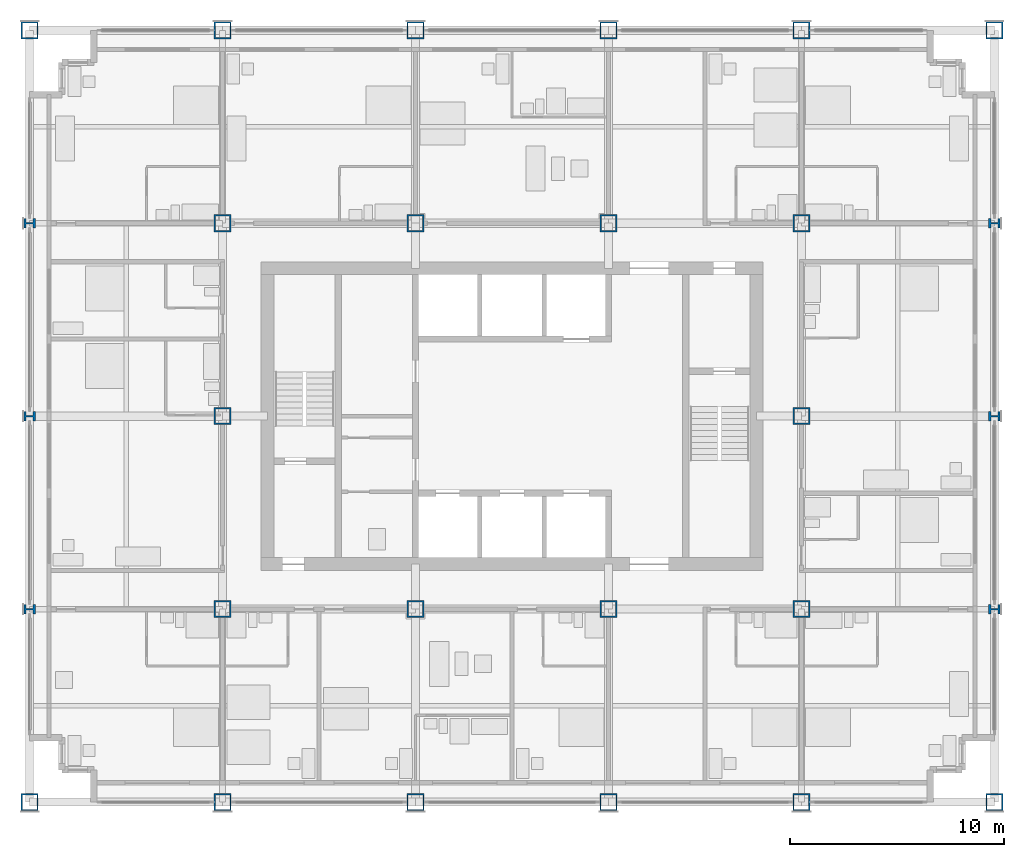
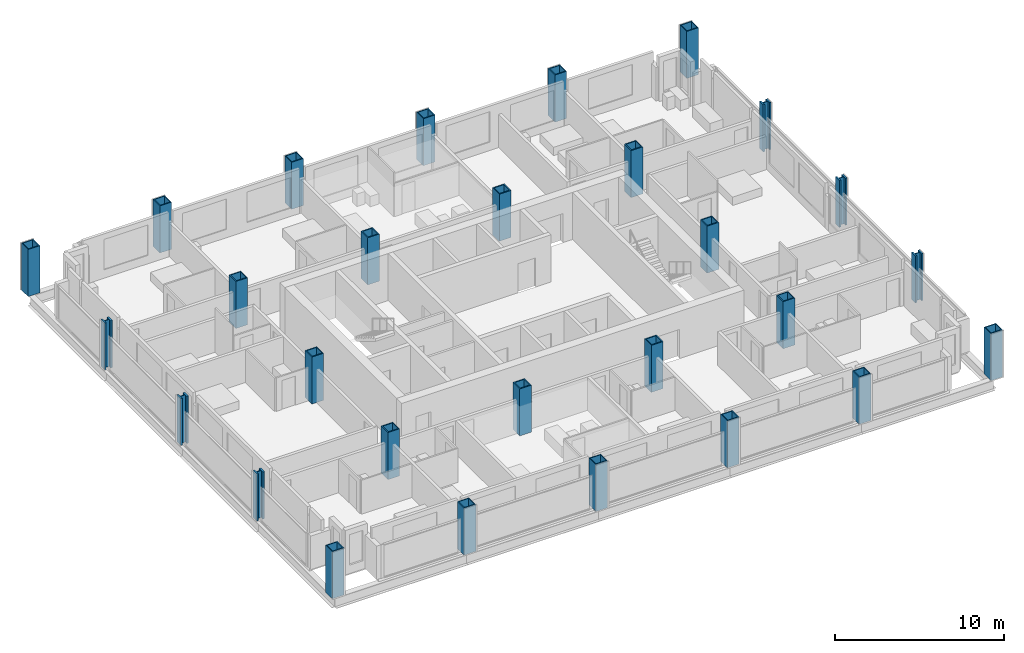
# One storey, part 1 of 16: 28 columns.
"""IFC4 building model written with IfcOpenShell, lengths in metres."""

from ifc_helpers import new_model, si_unit, direction, frame, origin, origin_2d, place, context, subcontext, project, spatial, hollow_rectangle, i_section, extrude, material, material_profile, profile_set, type_object, element, save


model = new_model("IFC4")

# Units and contexts
model_context = context("Model", 3, precision=1e-05, world=origin(), true_north=direction((0.0, 1.0)))
body_context = subcontext(model_context, "Body", "Model", "MODEL_VIEW")
ifc_project = project(units=[si_unit("LENGTHUNIT", "METRE"), si_unit("AREAUNIT", "SQUARE_METRE"), si_unit("VOLUMEUNIT", "CUBIC_METRE"), si_unit("PLANEANGLEUNIT", "RADIAN"), si_unit("MASSUNIT", "GRAM", prefix="KILO")], contexts=[model_context])

# Site, building, storey
site_placement = place(None, origin())
site = spatial("IfcSite", under=ifc_project, at=site_placement, CompositionType="ELEMENT")
building_placement = place(site_placement, origin())
building = spatial("IfcBuilding", under=site, at=building_placement, Name="Loomwork Tower", CompositionType="ELEMENT")
storey_placement = place(building_placement, frame((0.0, 0.0, 124.800048828125)))
storey = spatial("IfcBuildingStorey", under=building, at=storey_placement, Name="L33", CompositionType="ELEMENT", Elevation=124.800048828125)

# Columns
ifc_material_1 = material(Name="Steel ASTM A572 Grade 50 plate", Category="steel")
ifc_material_profile_1 = material_profile(ifc_material_1, hollow_rectangle(XDim=0.800048828125, YDim=0.800048828125, WallThickness=0.06005859375, at=origin_2d()), Name="BOX800x60")
ifc_profile_set_1 = profile_set([ifc_material_profile_1], Name="Steel ASTM A572 Grade 50 plate")
column_type_1 = type_object("IfcColumnType", Name="EXOSKELETON PIER BOX800x60", PredefinedType="COLUMN", material=ifc_profile_set_1)
for number, where, z_axis, x_axis, name in (
    (1, (0.0, 0.0, 0.0), (0.0, 0.0, 1.0), (1.0, 0.0, 0.0), "Exoskeleton Pier D/2 L33"),
    (2, (0.0, 36.0, 0.0), (0.0, 0.0, 1.0), (1.0, 0.0, 0.0), "Exoskeleton Pier H/2 L33"),
    (3, (9.0, 0.0, 0.0), (0.0, 0.0, 1.0), (1.0, 0.0, 0.0), "Exoskeleton Pier D/3 L33"),
    (4, (9.0, 36.0, 0.0), (0.0, 0.0, 1.0), (1.0, 0.0, 0.0), "Exoskeleton Pier H/3 L33"),
    (5, (18.0, 0.0, 0.0), (0.0, 0.0, 1.0), (1.0, 0.0, 0.0), "Exoskeleton Pier D/4 L33"),
    (6, (18.0, 36.0, 0.0), (0.0, 0.0, 1.0), (1.0, 0.0, 0.0), "Exoskeleton Pier H/4 L33"),
    (7, (27.0, 0.0, 0.0), (0.0, 0.0, 1.0), (1.0, 0.0, 0.0), "Exoskeleton Pier D/5 L33"),
    (8, (27.0, 36.0, 0.0), (0.0, 0.0, 1.0), (1.0, 0.0, 0.0), "Exoskeleton Pier H/5 L33"),
    (9, (36.0, 0.0, 0.0), (0.0, 0.0, 1.0), (1.0, 0.0, 0.0), "Exoskeleton Pier D/6 L33"),
    (10, (36.0, 36.0, 0.0), (0.0, 0.0, 1.0), (1.0, 0.0, 0.0), "Exoskeleton Pier H/6 L33"),
    (11, (45.0, 0.0, 0.0), (0.0, 0.0, 1.0), (1.0, 0.0, 0.0), "Exoskeleton Pier D/7 L33"),
    (12, (45.0, 36.0, 0.0), (0.0, 0.0, 1.0), (1.0, 0.0, 0.0), "Exoskeleton Pier H/7 L33"),
):
    element("IfcColumn", number, at=place(storey_placement, frame(where, z_axis=z_axis, x_axis=x_axis)), inside=storey, type_object=column_type_1, Name=name, PredefinedType="COLUMN", context=body_context, shape_type="SweptSolid", body=[
        extrude(hollow_rectangle(XDim=0.800048828125, YDim=0.800048828125, WallThickness=0.06005859375, at=origin_2d()), origin(), (0.0, 0.0, 1.0), 3.39990234375),
    ])
ifc_material_2 = material(Name="Steel ASTM A992", Category="steel")
ifc_material_profile_2 = material_profile(ifc_material_2, i_section(OverallWidth=0.44189453125, OverallDepth=0.53076171875, WebThickness=0.06591796875, FlangeThickness=0.105712890625, at=origin_2d()), Name="W14x605")
ifc_profile_set_2 = profile_set([ifc_material_profile_2], Name="Steel ASTM A992")
column_type_2 = type_object("IfcColumnType", Name="EXOSKELETON PIER W14x605", PredefinedType="COLUMN", material=ifc_profile_set_2)
for number, where, z_axis, x_axis, name in (
    (13, (0.0, 9.0, 0.0), (0.0, 0.0, 1.0), (0.0, 1.0, 0.0), "Exoskeleton Pier E/2 L33"),
    (14, (0.0, 18.0, 0.0), (0.0, 0.0, 1.0), (0.0, 1.0, 0.0), "Exoskeleton Pier F/2 L33"),
    (15, (0.0, 27.0, 0.0), (0.0, 0.0, 1.0), (0.0, 1.0, 0.0), "Exoskeleton Pier G/2 L33"),
    (16, (45.0, 9.0, 0.0), (0.0, 0.0, 1.0), (0.0, 1.0, 0.0), "Exoskeleton Pier E/7 L33"),
    (17, (45.0, 18.0, 0.0), (0.0, 0.0, 1.0), (0.0, 1.0, 0.0), "Exoskeleton Pier F/7 L33"),
    (18, (45.0, 27.0, 0.0), (0.0, 0.0, 1.0), (0.0, 1.0, 0.0), "Exoskeleton Pier G/7 L33"),
):
    element("IfcColumn", number, at=place(storey_placement, frame(where, z_axis=z_axis, x_axis=x_axis)), inside=storey, type_object=column_type_2, Name=name, PredefinedType="COLUMN", context=body_context, shape_type="SweptSolid", body=[
        extrude(i_section(OverallWidth=0.44189453125, OverallDepth=0.53076171875, WebThickness=0.06591796875, FlangeThickness=0.105712890625, at=origin_2d()), origin(), (0.0, 0.0, 1.0), 3.39990234375),
    ])
ifc_material_3 = material(Name="Steel ASTM A572 Grade 50 plate", Category="steel")
ifc_material_profile_3 = material_profile(ifc_material_3, hollow_rectangle(XDim=0.800048828125, YDim=0.800048828125, WallThickness=0.070068359375, at=origin_2d()), Name="BOX800x70")
ifc_profile_set_3 = profile_set([ifc_material_profile_3], Name="Steel ASTM A572 Grade 50 plate")
column_type_3 = type_object("IfcColumnType", Name="TOWER COLUMN BOX800x70", PredefinedType="COLUMN", material=ifc_profile_set_3)
for number, where, z_axis, x_axis, name in (
    (19, (9.0, 9.0, 0.0), (0.0, 0.0, 1.0), (1.0, 0.0, 0.0), "Tower Column E/3 L33"),
    (20, (9.0, 18.0, 0.0), (0.0, 0.0, 1.0), (1.0, 0.0, 0.0), "Tower Column F/3 L33"),
    (21, (9.0, 27.0, 0.0), (0.0, 0.0, 1.0), (1.0, 0.0, 0.0), "Tower Column G/3 L33"),
    (22, (18.0, 9.0, 0.0), (0.0, 0.0, 1.0), (1.0, 0.0, 0.0), "Tower Column E/4 L33"),
    (23, (18.0, 27.0, 0.0), (0.0, 0.0, 1.0), (1.0, 0.0, 0.0), "Tower Column G/4 L33"),
    (24, (27.0, 9.0, 0.0), (0.0, 0.0, 1.0), (1.0, 0.0, 0.0), "Tower Column E/5 L33"),
    (25, (27.0, 27.0, 0.0), (0.0, 0.0, 1.0), (1.0, 0.0, 0.0), "Tower Column G/5 L33"),
    (26, (36.0, 9.0, 0.0), (0.0, 0.0, 1.0), (0.0, 1.0, 0.0), "Tower Column E/6 L33"),
    (27, (36.0, 18.0, 0.0), (0.0, 0.0, 1.0), (0.0, 1.0, 0.0), "Tower Column F/6 L33"),
    (28, (36.0, 27.0, 0.0), (0.0, 0.0, 1.0), (1.0, 0.0, 0.0), "Tower Column G/6 L33"),
):
    element("IfcColumn", number, at=place(storey_placement, frame(where, z_axis=z_axis, x_axis=x_axis)), inside=storey, type_object=column_type_3, Name=name, PredefinedType="COLUMN", context=body_context, shape_type="SweptSolid", body=[
        extrude(hollow_rectangle(XDim=0.800048828125, YDim=0.800048828125, WallThickness=0.070068359375, at=origin_2d()), origin(), (0.0, 0.0, 1.0), 3.39990234375),
    ])

save(model, "model.ifc")
